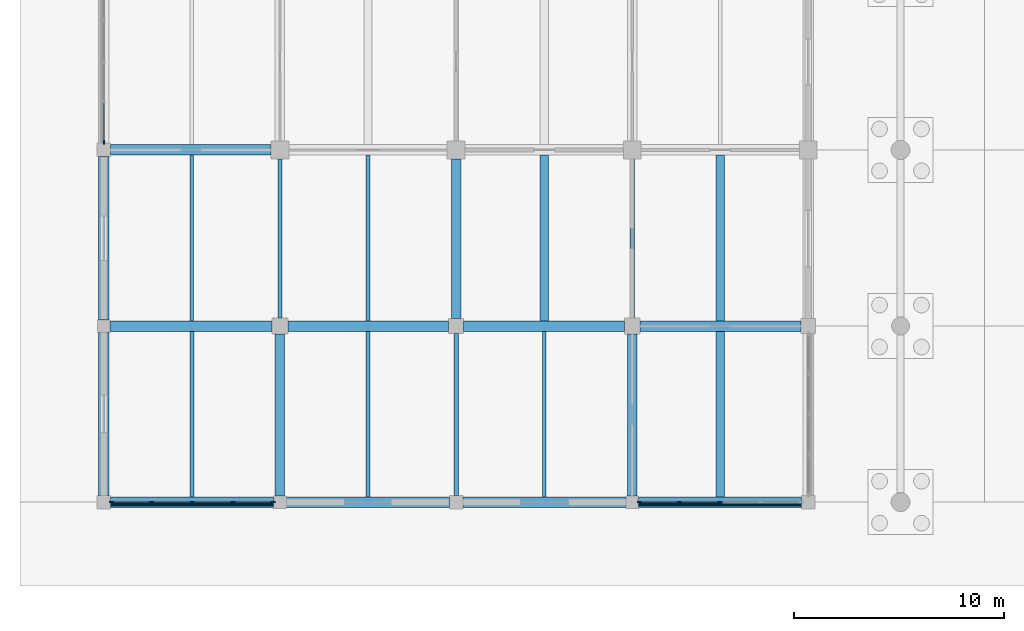
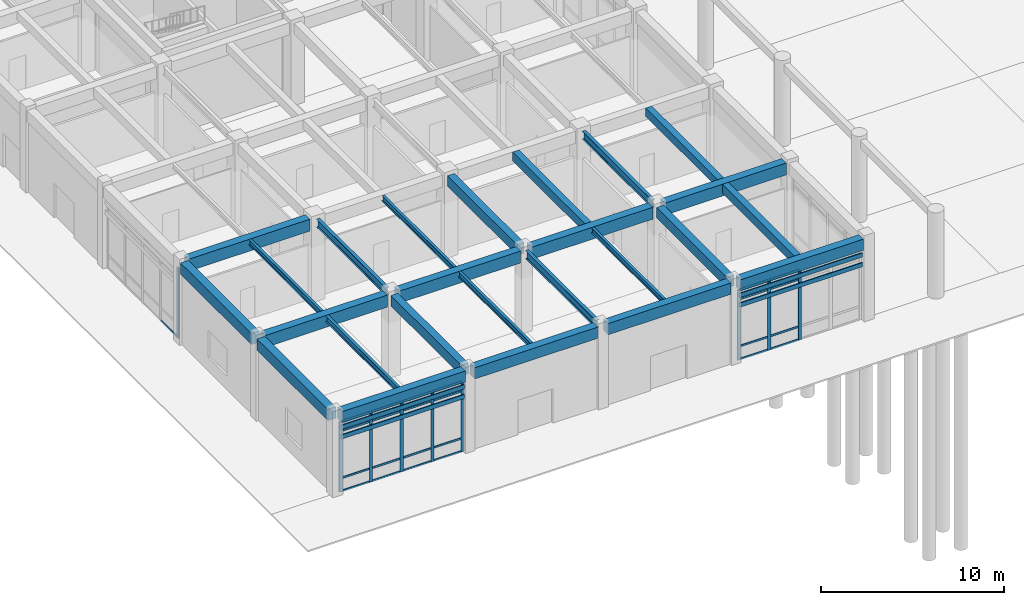
# One storey, part 4 of 91: 38 members, 25 beams, 3 elements without a shape of their own.
"""IFC4 building model written with IfcOpenShell, lengths in metres."""

from ifc_helpers import new_model, si_unit, direction, frame, origin, origin_2d, place, context, subcontext, project, spatial, rectangle, i_section, extrude, material, layer, layer_set, material_profile, profile_set, type_object, element, aggregate, save


model = new_model("IFC4")

# Units and contexts
model_context = context("Model", 3, precision=1e-05, world=origin(), true_north=direction((0.0, 1.0)))
body_context = subcontext(model_context, "Body", "Model", "MODEL_VIEW")
ifc_project = project(units=[si_unit("LENGTHUNIT", "METRE"), si_unit("AREAUNIT", "SQUARE_METRE"), si_unit("VOLUMEUNIT", "CUBIC_METRE"), si_unit("PLANEANGLEUNIT", "RADIAN"), si_unit("MASSUNIT", "GRAM", prefix="KILO")], contexts=[model_context])

# Site, building, storey
site_placement = place(None, origin())
site = spatial("IfcSite", under=ifc_project, at=site_placement, CompositionType="ELEMENT")
building_placement = place(site_placement, origin())
building = spatial("IfcBuilding", under=site, at=building_placement, Name="Porcellanite Civic Hall", CompositionType="ELEMENT")
storey_placement = place(building_placement, origin())
storey = spatial("IfcBuildingStorey", under=building, at=storey_placement, Name="L00", CompositionType="ELEMENT", Elevation=0.0)

# Beams
ifc_material_1 = material(Name="Concrete N50 (50 MPa)", Category="concrete")
ifc_material_profile_1 = material_profile(ifc_material_1, rectangle(XDim=0.39990234375, YDim=0.550048828125, at=origin_2d()), Name="RC-400x550")
ifc_profile_set_1 = profile_set([ifc_material_profile_1], Name="Concrete N50 (50 MPa)")
beam_type_1 = type_object("IfcBeamType", Name="BM-RC550", PredefinedType="JOIST", material=ifc_profile_set_1)
beam_1_placement = place(storey_placement, frame((29.39990234375, 8.6494140625, 5.22509765625), z_axis=(0.0, 1.0, 0.0), x_axis=(-1.0, 0.0, 0.0)))
element("IfcBeam", 1, at=beam_1_placement, inside=storey, type_object=beam_type_1, Name="Secondary joist L00 4-2", PredefinedType="JOIST", context=body_context, shape_type="SweptSolid", body=[
    extrude(rectangle(XDim=0.39990234375, YDim=0.550048828125, at=origin_2d()), origin(), (0.0, 0.0, 1.0), 7.901123046875),
])
ifc_material_2 = material(Name="Concrete N50 (50 MPa)", Category="concrete")
ifc_material_profile_2 = material_profile(ifc_material_2, rectangle(XDim=0.39990234375, YDim=0.60009765625, at=origin_2d()), Name="RC-400x600")
ifc_profile_set_2 = profile_set([ifc_material_profile_2], Name="Concrete N50 (50 MPa)")
beam_type_2 = type_object("IfcBeamType", Name="BM-RC600", PredefinedType="JOIST", material=ifc_profile_set_2)
beam_2_placement = place(storey_placement, frame((21.0, 8.6494140625, 5.199951171875), z_axis=(0.0, 1.0, 0.0), x_axis=(-1.0, 0.0, 0.0)))
element("IfcBeam", 2, at=beam_2_placement, inside=storey, type_object=beam_type_2, Name="Secondary joist L00 3-2", PredefinedType="JOIST", context=body_context, shape_type="SweptSolid", body=[
    extrude(rectangle(XDim=0.39990234375, YDim=0.60009765625, at=origin_2d()), origin(), (0.0, 0.0, 1.0), 7.901123046875),
])
beam_3_placement = place(storey_placement, frame((29.39990234375, 0.24951171875, 5.199951171875), z_axis=(0.0, 1.0, 0.0), x_axis=(-1.0, 0.0, 0.0)))
element("IfcBeam", 3, at=beam_3_placement, inside=storey, type_object=beam_type_2, Name="Secondary joist L00 4-1", PredefinedType="JOIST", context=body_context, shape_type="SweptSolid", body=[
    extrude(rectangle(XDim=0.39990234375, YDim=0.60009765625, at=origin_2d()), origin(), (0.0, 0.0, 1.0), 7.90087890625),
])
ifc_material_3 = material(Name="Concrete N50 (50 MPa)", Category="concrete")
ifc_material_profile_3 = material_profile(ifc_material_3, rectangle(XDim=0.449951171875, YDim=0.699951171875, at=origin_2d()), Name="RC-450x700")
ifc_profile_set_3 = profile_set([ifc_material_profile_3], Name="Concrete N50 (50 MPa)")
beam_type_3 = type_object("IfcBeamType", Name="BM-RC700", PredefinedType="BEAM", material=ifc_profile_set_3)
beam_4_placement = place(storey_placement, frame((8.39990234375, 0.299560546875, 5.14990234375), z_axis=(0.0, 1.0, 0.0), x_axis=(-1.0, 0.0, 0.0)))
element("IfcBeam", 4, at=beam_4_placement, inside=storey, type_object=beam_type_3, Name="Beam Y L00 2-1", PredefinedType="BEAM", context=body_context, shape_type="SweptSolid", body=[
    extrude(rectangle(XDim=0.449951171875, YDim=0.699951171875, at=origin_2d()), origin(), (0.0, 0.0, 1.0), 7.725830078125),
])
beam_5_placement = place(storey_placement, frame((16.800048828125, 8.74951171875, 5.14990234375), z_axis=(0.0, 1.0, 0.0), x_axis=(-1.0, 0.0, 0.0)))
element("IfcBeam", 5, at=beam_5_placement, inside=storey, type_object=beam_type_3, Name="Beam Y L00 3-2", PredefinedType="BEAM", context=body_context, shape_type="SweptSolid", body=[
    extrude(rectangle(XDim=0.449951171875, YDim=0.699951171875, at=origin_2d()), origin(), (0.0, 0.0, 1.0), 7.6259765625),
])
beam_6_placement = place(storey_placement, frame((25.199951171875, 0.299560546875, 5.14990234375), z_axis=(0.0, 1.0, 0.0), x_axis=(-1.0, 0.0, 0.0)))
element("IfcBeam", 6, at=beam_6_placement, inside=storey, type_object=beam_type_3, Name="Beam Y L00 4-1", PredefinedType="BEAM", context=body_context, shape_type="SweptSolid", body=[
    extrude(rectangle(XDim=0.449951171875, YDim=0.699951171875, at=origin_2d()), origin(), (0.0, 0.0, 1.0), 7.725830078125),
])
ifc_material_4 = material(Name="Concrete N50 (50 MPa)", Category="concrete")
ifc_material_profile_4 = material_profile(ifc_material_4, rectangle(XDim=0.5, YDim=0.75, at=origin_2d()), Name="RC-500x750")
ifc_profile_set_4 = profile_set([ifc_material_profile_4], Name="Concrete N50 (50 MPa)")
beam_type_4 = type_object("IfcBeamType", Name="BM-RC750", PredefinedType="SPANDREL", material=ifc_profile_set_4)
for number, where, z_axis, x_axis, name in (
    (7, (0.324462890625, 0.0, 5.125), (1.0, 0.0, 0.0), (0.0, 1.0, 0.0), "Beam X L00 1-1"),
    (8, (8.699462890625, 0.0, 5.125), (1.0, 0.0, 0.0), (0.0, 1.0, 0.0), "Beam X L00 2-1"),
):
    element("IfcBeam", number, at=place(storey_placement, frame(where, z_axis=z_axis, x_axis=x_axis)), inside=storey, type_object=beam_type_4, Name=name, PredefinedType="SPANDREL", context=body_context, shape_type="SweptSolid", body=[
        extrude(rectangle(XDim=0.5, YDim=0.75, at=origin_2d()), origin(), (0.0, 0.0, 1.0), 7.776123046875),
    ])
for number, where, z_axis, x_axis, name in (
    (9, (17.12451171875, 0.0, 5.125), (1.0, 0.0, 0.0), (0.0, 1.0, 0.0), "Beam X L00 3-1"),
    (10, (25.49951171875, 0.0, 5.125), (1.0, 0.0, 0.0), (0.0, 1.0, 0.0), "Beam X L00 4-1"),
):
    element("IfcBeam", number, at=place(storey_placement, frame(where, z_axis=z_axis, x_axis=x_axis)), inside=storey, type_object=beam_type_4, Name=name, PredefinedType="SPANDREL", context=body_context, shape_type="SweptSolid", body=[
        extrude(rectangle(XDim=0.5, YDim=0.75, at=origin_2d()), origin(), (0.0, 0.0, 1.0), 7.77587890625),
    ])
for number, where, z_axis, x_axis, name in (
    (11, (0.0, 0.324462890625, 5.125), (0.0, 1.0, 0.0), (-1.0, 0.0, 0.0), "Beam Y L00 1-1"),
    (12, (0.0, 8.699462890625, 5.125), (0.0, 1.0, 0.0), (-1.0, 0.0, 0.0), "Beam Y L00 1-2"),
):
    element("IfcBeam", number, at=place(storey_placement, frame(where, z_axis=z_axis, x_axis=x_axis)), inside=storey, type_object=beam_type_4, Name=name, PredefinedType="SPANDREL", context=body_context, shape_type="SweptSolid", body=[
        extrude(rectangle(XDim=0.5, YDim=0.75, at=origin_2d()), origin(), (0.0, 0.0, 1.0), 7.776123046875),
    ])
ifc_material_5 = material(Name="Concrete N50 (50 MPa)", Category="concrete")
ifc_material_profile_5 = material_profile(ifc_material_5, rectangle(XDim=0.5, YDim=0.800048828125, at=origin_2d()), Name="RC-500x800")
ifc_profile_set_5 = profile_set([ifc_material_profile_5], Name="Concrete N50 (50 MPa)")
beam_type_5 = type_object("IfcBeamType", Name="BM-RC800", PredefinedType="BEAM", material=ifc_profile_set_5)
beam_7_placement = place(storey_placement, frame((0.299560546875, 8.39990234375, 5.10009765625), z_axis=(1.0, 0.0, 0.0), x_axis=(0.0, 1.0, 0.0)))
element("IfcBeam", 13, at=beam_7_placement, inside=storey, type_object=beam_type_5, Name="Beam X L00 1-2", PredefinedType="BEAM", context=body_context, shape_type="SweptSolid", body=[
    extrude(rectangle(XDim=0.5, YDim=0.800048828125, at=origin_2d()), origin(), (0.0, 0.0, 1.0), 7.725830078125),
])
beam_8_placement = place(storey_placement, frame((0.324462890625, 16.800048828125, 5.10009765625), z_axis=(1.0, 0.0, 0.0), x_axis=(0.0, 1.0, 0.0)))
element("IfcBeam", 14, at=beam_8_placement, inside=storey, type_object=beam_type_5, Name="Beam X L00 1-3", PredefinedType="BEAM", context=body_context, shape_type="SweptSolid", body=[
    extrude(rectangle(XDim=0.5, YDim=0.800048828125, at=origin_2d()), origin(), (0.0, 0.0, 1.0), 7.651123046875),
])
for number, where, z_axis, x_axis, name in (
    (15, (8.7744140625, 8.39990234375, 5.10009765625), (1.0, 0.0, 0.0), (0.0, 1.0, 0.0), "Beam X L00 2-2"),
    (16, (17.1494140625, 8.39990234375, 5.10009765625), (1.0, 0.0, 0.0), (0.0, 1.0, 0.0), "Beam X L00 3-2"),
    (17, (25.574462890625, 8.39990234375, 5.10009765625), (1.0, 0.0, 0.0), (0.0, 1.0, 0.0), "Beam X L00 4-2"),
):
    element("IfcBeam", number, at=place(storey_placement, frame(where, z_axis=z_axis, x_axis=x_axis)), inside=storey, type_object=beam_type_5, Name=name, PredefinedType="BEAM", context=body_context, shape_type="SweptSolid", body=[
        extrude(rectangle(XDim=0.5, YDim=0.800048828125, at=origin_2d()), origin(), (0.0, 0.0, 1.0), 7.676025390625),
    ])

# Curtain wall, members
ifc_material_6 = material(Name="Anodised aluminium and solar laminated glass", Category="aluminium")
ifc_layer = layer(ifc_material_6, 0.179931640625)
ifc_layer_set = layer_set([ifc_layer], Name="Anodised aluminium and solar laminated glass")
curtain_wall_type = type_object("IfcCurtainWallType", Name="CW-SYS05", PredefinedType="NOTDEFINED", material=ifc_layer_set)
curtain_wall_1_placement = place(storey_placement, origin())
curtain_wall_1 = element("IfcCurtainWall", 18, at=curtain_wall_1_placement, inside=storey, type_object=curtain_wall_type, Name="Curtain wall CW-001", PredefinedType="NOTDEFINED")
ifc_material_7 = material(Name="Anodised aluminium 6063-T6", Category="aluminium")
ifc_material_profile_6 = material_profile(ifc_material_7, rectangle(XDim=0.070068359375, YDim=0.199951171875, at=origin_2d()), Name="AL-70x200")
ifc_profile_set_6 = profile_set([ifc_material_profile_6], Name="Anodised aluminium 6063-T6")
member_type_1 = type_object("IfcMemberType", Name="CWM-05", PredefinedType="MULLION", material=ifc_profile_set_6)
member_1_placement = place(storey_placement, frame((8.06396484375, 0.0, 0.0), z_axis=(0.0, 0.0, 1.0), x_axis=(0.0, -1.0, 0.0)))
member_1 = element("IfcMember", 19, at=member_1_placement, type_object=member_type_1, Name="CW-001 mullion 1", PredefinedType="MULLION", context=body_context, shape_type="SweptSolid", body=[
    extrude(rectangle(XDim=0.070068359375, YDim=0.199951171875, at=origin_2d()), origin(), (0.0, 0.0, 1.0), 4.699951171875),
])
member_2_placement = place(storey_placement, frame((6.15576171875, 0.0, 0.0), z_axis=(0.0, 0.0, 1.0), x_axis=(0.0, -1.0, 0.0)))
member_2 = element("IfcMember", 20, at=member_2_placement, type_object=member_type_1, Name="CW-001 mullion 2", PredefinedType="MULLION", context=body_context, shape_type="SweptSolid", body=[
    extrude(rectangle(XDim=0.070068359375, YDim=0.199951171875, at=origin_2d()), origin(), (0.0, 0.0, 1.0), 4.699951171875),
])
member_3_placement = place(storey_placement, frame((4.21240234375, 0.0, 0.0), z_axis=(0.0, 0.0, 1.0), x_axis=(0.0, -1.0, 0.0)))
member_3 = element("IfcMember", 21, at=member_3_placement, type_object=member_type_1, Name="CW-001 mullion 3", PredefinedType="MULLION", context=body_context, shape_type="SweptSolid", body=[
    extrude(rectangle(XDim=0.070068359375, YDim=0.199951171875, at=origin_2d()), origin(), (0.0, 0.0, 1.0), 4.699951171875),
])
member_4_placement = place(storey_placement, frame((2.269287109375, 0.0, 0.0), z_axis=(0.0, 0.0, 1.0), x_axis=(0.0, -1.0, 0.0)))
member_4 = element("IfcMember", 22, at=member_4_placement, type_object=member_type_1, Name="CW-001 mullion 4", PredefinedType="MULLION", context=body_context, shape_type="SweptSolid", body=[
    extrude(rectangle(XDim=0.070068359375, YDim=0.199951171875, at=origin_2d()), origin(), (0.0, 0.0, 1.0), 4.699951171875),
])
member_5_placement = place(storey_placement, frame((0.361083984375, 0.0, 0.0), z_axis=(0.0, 0.0, 1.0), x_axis=(0.0, -1.0, 0.0)))
member_5 = element("IfcMember", 23, at=member_5_placement, type_object=member_type_1, Name="CW-001 mullion 5", PredefinedType="MULLION", context=body_context, shape_type="SweptSolid", body=[
    extrude(rectangle(XDim=0.070068359375, YDim=0.199951171875, at=origin_2d()), origin(), (0.0, 0.0, 1.0), 4.699951171875),
])

# Curtain wall, member
curtain_wall_2_placement = place(storey_placement, origin())
curtain_wall_2 = element("IfcCurtainWall", 24, at=curtain_wall_2_placement, inside=storey, type_object=curtain_wall_type, Name="Curtain wall CW-002", PredefinedType="NOTDEFINED")
member_6_placement = place(storey_placement, frame((0.0, 17.160888671875, 0.0), z_axis=(0.0, 0.0, 1.0), x_axis=(-1.0, 0.0, 0.0)))
member_6 = element("IfcMember", 25, at=member_6_placement, type_object=member_type_1, Name="CW-002 mullion 1", PredefinedType="MULLION", context=body_context, shape_type="SweptSolid", body=[
    extrude(rectangle(XDim=0.070068359375, YDim=0.199951171875, at=origin_2d()), origin(), (0.0, 0.0, 1.0), 4.699951171875),
])

# Curtain wall, members
curtain_wall_3_placement = place(storey_placement, origin())
curtain_wall_3 = element("IfcCurtainWall", 26, at=curtain_wall_3_placement, inside=storey, type_object=curtain_wall_type, Name="Curtain wall CW-010", PredefinedType="NOTDEFINED")
member_7_placement = place(storey_placement, frame((29.387451171875, 0.0, 0.0), z_axis=(0.0, 0.0, 1.0), x_axis=(0.0, -1.0, 0.0)))
member_7 = element("IfcMember", 27, at=member_7_placement, type_object=member_type_1, Name="CW-010 mullion 3", PredefinedType="MULLION", context=body_context, shape_type="SweptSolid", body=[
    extrude(rectangle(XDim=0.070068359375, YDim=0.199951171875, at=origin_2d()), origin(), (0.0, 0.0, 1.0), 4.699951171875),
])
member_8_placement = place(storey_placement, frame((27.4443359375, 0.0, 0.0), z_axis=(0.0, 0.0, 1.0), x_axis=(0.0, -1.0, 0.0)))
member_8 = element("IfcMember", 28, at=member_8_placement, type_object=member_type_1, Name="CW-010 mullion 4", PredefinedType="MULLION", context=body_context, shape_type="SweptSolid", body=[
    extrude(rectangle(XDim=0.070068359375, YDim=0.199951171875, at=origin_2d()), origin(), (0.0, 0.0, 1.0), 4.699951171875),
])
member_9_placement = place(storey_placement, frame((25.535888671875, 0.0, 0.0), z_axis=(0.0, 0.0, 1.0), x_axis=(0.0, -1.0, 0.0)))
member_9 = element("IfcMember", 29, at=member_9_placement, type_object=member_type_1, Name="CW-010 mullion 5", PredefinedType="MULLION", context=body_context, shape_type="SweptSolid", body=[
    extrude(rectangle(XDim=0.070068359375, YDim=0.199951171875, at=origin_2d()), origin(), (0.0, 0.0, 1.0), 4.699951171875),
])

# Member
ifc_material_8 = material(Name="Anodised aluminium 6063-T6", Category="aluminium")
ifc_material_profile_7 = material_profile(ifc_material_8, rectangle(XDim=0.06005859375, YDim=0.1298828125, at=origin_2d()), Name="AL-60x130")
ifc_profile_set_7 = profile_set([ifc_material_profile_7], Name="Anodised aluminium 6063-T6")
member_type_2 = type_object("IfcMemberType", Name="CWT-03", PredefinedType="USERDEFINED", material=ifc_profile_set_7)
member_10_placement = place(storey_placement, frame((8.029052734375, 0.0, 0.030029296875), z_axis=(-1.0, 0.0, 0.0), x_axis=(0.0, -1.0, 0.0)))
member_10 = element("IfcMember", 30, at=member_10_placement, type_object=member_type_2, Name="CW-001 transom 1.1", ObjectType="TRANSOM", PredefinedType="USERDEFINED", context=body_context, shape_type="SweptSolid", body=[
    extrude(rectangle(XDim=0.06005859375, YDim=0.1298828125, at=origin_2d()), origin(), (0.0, 0.0, 1.0), 1.83837890625),
])

member_11_placement = place(storey_placement, frame((8.029052734375, 0.0, 0.89990234375), z_axis=(-1.0, 0.0, 0.0), x_axis=(0.0, -1.0, 0.0)))
member_11 = element("IfcMember", 31, at=member_11_placement, type_object=member_type_2, Name="CW-001 transom 1.2", ObjectType="TRANSOM", PredefinedType="USERDEFINED", context=body_context, shape_type="SweptSolid", body=[
    extrude(rectangle(XDim=0.06005859375, YDim=0.1298828125, at=origin_2d()), origin(), (0.0, 0.0, 1.0), 1.83837890625),
])

member_12_placement = place(storey_placement, frame((8.029052734375, 0.0, 4.050048828125), z_axis=(-1.0, 0.0, 0.0), x_axis=(0.0, -1.0, 0.0)))
member_12 = element("IfcMember", 32, at=member_12_placement, type_object=member_type_2, Name="CW-001 transom 1.3", ObjectType="TRANSOM", PredefinedType="USERDEFINED", context=body_context, shape_type="SweptSolid", body=[
    extrude(rectangle(XDim=0.06005859375, YDim=0.1298828125, at=origin_2d()), origin(), (0.0, 0.0, 1.0), 1.83837890625),
])

member_13_placement = place(storey_placement, frame((8.029052734375, 0.0, 4.669921875), z_axis=(-1.0, 0.0, 0.0), x_axis=(0.0, -1.0, 0.0)))
member_13 = element("IfcMember", 33, at=member_13_placement, type_object=member_type_2, Name="CW-001 transom 1.4", ObjectType="TRANSOM", PredefinedType="USERDEFINED", context=body_context, shape_type="SweptSolid", body=[
    extrude(rectangle(XDim=0.06005859375, YDim=0.1298828125, at=origin_2d()), origin(), (0.0, 0.0, 1.0), 1.83837890625),
])

member_14_placement = place(storey_placement, frame((6.120849609375, 0.0, 0.030029296875), z_axis=(-1.0, 0.0, 0.0), x_axis=(0.0, -1.0, 0.0)))
member_14 = element("IfcMember", 34, at=member_14_placement, type_object=member_type_2, Name="CW-001 transom 2.1", ObjectType="TRANSOM", PredefinedType="USERDEFINED", context=body_context, shape_type="SweptSolid", body=[
    extrude(rectangle(XDim=0.06005859375, YDim=0.1298828125, at=origin_2d()), origin(), (0.0, 0.0, 1.0), 1.873291015625),
])

member_15_placement = place(storey_placement, frame((6.120849609375, 0.0, 0.89990234375), z_axis=(-1.0, 0.0, 0.0), x_axis=(0.0, -1.0, 0.0)))
member_15 = element("IfcMember", 35, at=member_15_placement, type_object=member_type_2, Name="CW-001 transom 2.2", ObjectType="TRANSOM", PredefinedType="USERDEFINED", context=body_context, shape_type="SweptSolid", body=[
    extrude(rectangle(XDim=0.06005859375, YDim=0.1298828125, at=origin_2d()), origin(), (0.0, 0.0, 1.0), 1.873291015625),
])

member_16_placement = place(storey_placement, frame((6.120849609375, 0.0, 4.050048828125), z_axis=(-1.0, 0.0, 0.0), x_axis=(0.0, -1.0, 0.0)))
member_16 = element("IfcMember", 36, at=member_16_placement, type_object=member_type_2, Name="CW-001 transom 2.3", ObjectType="TRANSOM", PredefinedType="USERDEFINED", context=body_context, shape_type="SweptSolid", body=[
    extrude(rectangle(XDim=0.06005859375, YDim=0.1298828125, at=origin_2d()), origin(), (0.0, 0.0, 1.0), 1.873291015625),
])

member_17_placement = place(storey_placement, frame((6.120849609375, 0.0, 4.669921875), z_axis=(-1.0, 0.0, 0.0), x_axis=(0.0, -1.0, 0.0)))
member_17 = element("IfcMember", 37, at=member_17_placement, type_object=member_type_2, Name="CW-001 transom 2.4", ObjectType="TRANSOM", PredefinedType="USERDEFINED", context=body_context, shape_type="SweptSolid", body=[
    extrude(rectangle(XDim=0.06005859375, YDim=0.1298828125, at=origin_2d()), origin(), (0.0, 0.0, 1.0), 1.873291015625),
])

member_18_placement = place(storey_placement, frame((4.177490234375, 0.0, 0.030029296875), z_axis=(-1.0, 0.0, 0.0), x_axis=(0.0, -1.0, 0.0)))
member_18 = element("IfcMember", 38, at=member_18_placement, type_object=member_type_2, Name="CW-001 transom 3.1", ObjectType="TRANSOM", PredefinedType="USERDEFINED", context=body_context, shape_type="SweptSolid", body=[
    extrude(rectangle(XDim=0.06005859375, YDim=0.1298828125, at=origin_2d()), origin(), (0.0, 0.0, 1.0), 1.873291015625),
])

member_19_placement = place(storey_placement, frame((4.177490234375, 0.0, 0.89990234375), z_axis=(-1.0, 0.0, 0.0), x_axis=(0.0, -1.0, 0.0)))
member_19 = element("IfcMember", 39, at=member_19_placement, type_object=member_type_2, Name="CW-001 transom 3.2", ObjectType="TRANSOM", PredefinedType="USERDEFINED", context=body_context, shape_type="SweptSolid", body=[
    extrude(rectangle(XDim=0.06005859375, YDim=0.1298828125, at=origin_2d()), origin(), (0.0, 0.0, 1.0), 1.873291015625),
])

member_20_placement = place(storey_placement, frame((4.177490234375, 0.0, 4.050048828125), z_axis=(-1.0, 0.0, 0.0), x_axis=(0.0, -1.0, 0.0)))
member_20 = element("IfcMember", 40, at=member_20_placement, type_object=member_type_2, Name="CW-001 transom 3.3", ObjectType="TRANSOM", PredefinedType="USERDEFINED", context=body_context, shape_type="SweptSolid", body=[
    extrude(rectangle(XDim=0.06005859375, YDim=0.1298828125, at=origin_2d()), origin(), (0.0, 0.0, 1.0), 1.873291015625),
])

member_21_placement = place(storey_placement, frame((4.177490234375, 0.0, 4.669921875), z_axis=(-1.0, 0.0, 0.0), x_axis=(0.0, -1.0, 0.0)))
member_21 = element("IfcMember", 41, at=member_21_placement, type_object=member_type_2, Name="CW-001 transom 3.4", ObjectType="TRANSOM", PredefinedType="USERDEFINED", context=body_context, shape_type="SweptSolid", body=[
    extrude(rectangle(XDim=0.06005859375, YDim=0.1298828125, at=origin_2d()), origin(), (0.0, 0.0, 1.0), 1.873291015625),
])

member_22_placement = place(storey_placement, frame((2.234130859375, 0.0, 0.030029296875), z_axis=(-1.0, 0.0, 0.0), x_axis=(0.0, -1.0, 0.0)))
member_22 = element("IfcMember", 42, at=member_22_placement, type_object=member_type_2, Name="CW-001 transom 4.1", ObjectType="TRANSOM", PredefinedType="USERDEFINED", context=body_context, shape_type="SweptSolid", body=[
    extrude(rectangle(XDim=0.06005859375, YDim=0.1298828125, at=origin_2d()), origin(), (0.0, 0.0, 1.0), 1.838134765625),
])

member_23_placement = place(storey_placement, frame((2.234130859375, 0.0, 0.89990234375), z_axis=(-1.0, 0.0, 0.0), x_axis=(0.0, -1.0, 0.0)))
member_23 = element("IfcMember", 43, at=member_23_placement, type_object=member_type_2, Name="CW-001 transom 4.2", ObjectType="TRANSOM", PredefinedType="USERDEFINED", context=body_context, shape_type="SweptSolid", body=[
    extrude(rectangle(XDim=0.06005859375, YDim=0.1298828125, at=origin_2d()), origin(), (0.0, 0.0, 1.0), 1.838134765625),
])

member_24_placement = place(storey_placement, frame((2.234130859375, 0.0, 4.050048828125), z_axis=(-1.0, 0.0, 0.0), x_axis=(0.0, -1.0, 0.0)))
member_24 = element("IfcMember", 44, at=member_24_placement, type_object=member_type_2, Name="CW-001 transom 4.3", ObjectType="TRANSOM", PredefinedType="USERDEFINED", context=body_context, shape_type="SweptSolid", body=[
    extrude(rectangle(XDim=0.06005859375, YDim=0.1298828125, at=origin_2d()), origin(), (0.0, 0.0, 1.0), 1.838134765625),
])

member_25_placement = place(storey_placement, frame((2.234130859375, 0.0, 4.669921875), z_axis=(-1.0, 0.0, 0.0), x_axis=(0.0, -1.0, 0.0)))
member_25 = element("IfcMember", 45, at=member_25_placement, type_object=member_type_2, Name="CW-001 transom 4.4", ObjectType="TRANSOM", PredefinedType="USERDEFINED", context=body_context, shape_type="SweptSolid", body=[
    extrude(rectangle(XDim=0.06005859375, YDim=0.1298828125, at=origin_2d()), origin(), (0.0, 0.0, 1.0), 1.838134765625),
])

aggregate(curtain_wall_1, [member_1, member_2, member_3, member_4, member_5, member_10, member_11, member_12, member_13, member_14, member_15, member_16, member_17, member_18, member_19, member_20, member_21, member_22, member_23, member_24, member_25])

member_26_placement = place(storey_placement, frame((0.0, 17.196044921875, 0.030029296875), z_axis=(0.0, 1.0, 0.0), x_axis=(-1.0, 0.0, 0.0)))
member_26 = element("IfcMember", 46, at=member_26_placement, type_object=member_type_2, Name="CW-002 transom 1.1", ObjectType="TRANSOM", PredefinedType="USERDEFINED", context=body_context, shape_type="SweptSolid", body=[
    extrude(rectangle(XDim=0.06005859375, YDim=0.1298828125, at=origin_2d()), origin(), (0.0, 0.0, 1.0), 1.838134765625),
])

aggregate(curtain_wall_2, [member_6, member_26])

member_27_placement = place(storey_placement, frame((29.3525390625, 0.0, 0.030029296875), z_axis=(-1.0, 0.0, 0.0), x_axis=(0.0, -1.0, 0.0)))
member_27 = element("IfcMember", 47, at=member_27_placement, type_object=member_type_2, Name="CW-010 transom 3.1", ObjectType="TRANSOM", PredefinedType="USERDEFINED", context=body_context, shape_type="SweptSolid", body=[
    extrude(rectangle(XDim=0.06005859375, YDim=0.1298828125, at=origin_2d()), origin(), (0.0, 0.0, 1.0), 1.873291015625),
])

member_28_placement = place(storey_placement, frame((29.3525390625, 0.0, 0.89990234375), z_axis=(-1.0, 0.0, 0.0), x_axis=(0.0, -1.0, 0.0)))
member_28 = element("IfcMember", 48, at=member_28_placement, type_object=member_type_2, Name="CW-010 transom 3.2", ObjectType="TRANSOM", PredefinedType="USERDEFINED", context=body_context, shape_type="SweptSolid", body=[
    extrude(rectangle(XDim=0.06005859375, YDim=0.1298828125, at=origin_2d()), origin(), (0.0, 0.0, 1.0), 1.873291015625),
])

member_29_placement = place(storey_placement, frame((29.3525390625, 0.0, 4.050048828125), z_axis=(-1.0, 0.0, 0.0), x_axis=(0.0, -1.0, 0.0)))
member_29 = element("IfcMember", 49, at=member_29_placement, type_object=member_type_2, Name="CW-010 transom 3.3", ObjectType="TRANSOM", PredefinedType="USERDEFINED", context=body_context, shape_type="SweptSolid", body=[
    extrude(rectangle(XDim=0.06005859375, YDim=0.1298828125, at=origin_2d()), origin(), (0.0, 0.0, 1.0), 1.873291015625),
])

member_30_placement = place(storey_placement, frame((29.3525390625, 0.0, 4.669921875), z_axis=(-1.0, 0.0, 0.0), x_axis=(0.0, -1.0, 0.0)))
member_30 = element("IfcMember", 50, at=member_30_placement, type_object=member_type_2, Name="CW-010 transom 3.4", ObjectType="TRANSOM", PredefinedType="USERDEFINED", context=body_context, shape_type="SweptSolid", body=[
    extrude(rectangle(XDim=0.06005859375, YDim=0.1298828125, at=origin_2d()), origin(), (0.0, 0.0, 1.0), 1.873291015625),
])

member_31_placement = place(storey_placement, frame((27.4091796875, 0.0, 0.030029296875), z_axis=(-1.0, 0.0, 0.0), x_axis=(0.0, -1.0, 0.0)))
member_31 = element("IfcMember", 51, at=member_31_placement, type_object=member_type_2, Name="CW-010 transom 4.1", ObjectType="TRANSOM", PredefinedType="USERDEFINED", context=body_context, shape_type="SweptSolid", body=[
    extrude(rectangle(XDim=0.06005859375, YDim=0.1298828125, at=origin_2d()), origin(), (0.0, 0.0, 1.0), 1.838134765625),
])

member_32_placement = place(storey_placement, frame((27.4091796875, 0.0, 0.89990234375), z_axis=(-1.0, 0.0, 0.0), x_axis=(0.0, -1.0, 0.0)))
member_32 = element("IfcMember", 52, at=member_32_placement, type_object=member_type_2, Name="CW-010 transom 4.2", ObjectType="TRANSOM", PredefinedType="USERDEFINED", context=body_context, shape_type="SweptSolid", body=[
    extrude(rectangle(XDim=0.06005859375, YDim=0.1298828125, at=origin_2d()), origin(), (0.0, 0.0, 1.0), 1.838134765625),
])

member_33_placement = place(storey_placement, frame((27.4091796875, 0.0, 4.050048828125), z_axis=(-1.0, 0.0, 0.0), x_axis=(0.0, -1.0, 0.0)))
member_33 = element("IfcMember", 53, at=member_33_placement, type_object=member_type_2, Name="CW-010 transom 4.3", ObjectType="TRANSOM", PredefinedType="USERDEFINED", context=body_context, shape_type="SweptSolid", body=[
    extrude(rectangle(XDim=0.06005859375, YDim=0.1298828125, at=origin_2d()), origin(), (0.0, 0.0, 1.0), 1.838134765625),
])

member_34_placement = place(storey_placement, frame((27.4091796875, 0.0, 4.669921875), z_axis=(-1.0, 0.0, 0.0), x_axis=(0.0, -1.0, 0.0)))
member_34 = element("IfcMember", 54, at=member_34_placement, type_object=member_type_2, Name="CW-010 transom 4.4", ObjectType="TRANSOM", PredefinedType="USERDEFINED", context=body_context, shape_type="SweptSolid", body=[
    extrude(rectangle(XDim=0.06005859375, YDim=0.1298828125, at=origin_2d()), origin(), (0.0, 0.0, 1.0), 1.838134765625),
])

aggregate(curtain_wall_3, [member_7, member_8, member_9, member_27, member_28, member_29, member_30, member_31, member_32, member_33, member_34])

# Beams
ifc_material_9 = material(Name="Steel Grade 350", Category="steel")
ifc_material_profile_8 = material_profile(ifc_material_9, i_section(OverallWidth=0.1708984375, OverallDepth=0.35595703125, WebThickness=0.00732421875, FlangeThickness=0.011474609375, FilletRadius=0.011474609375, at=origin_2d()), Name="360UB50.7")
ifc_profile_set_8 = profile_set([ifc_material_profile_8], Name="Steel Grade 350")
beam_type_6 = type_object("IfcBeamType", Name="JST-360UB51", PredefinedType="JOIST", material=ifc_profile_set_8)
beam_9_placement = place(storey_placement, frame((12.60009765625, 8.6494140625, 5.322021484375), z_axis=(0.0, 1.0, 0.0), x_axis=(-1.0, 0.0, 0.0)))
element("IfcBeam", 55, at=beam_9_placement, inside=storey, type_object=beam_type_6, Name="Secondary joist L00 2-2", PredefinedType="JOIST", context=body_context, shape_type="SweptSolid", body=[
    extrude(i_section(OverallWidth=0.1708984375, OverallDepth=0.35595703125, WebThickness=0.00732421875, FlangeThickness=0.011474609375, FilletRadius=0.011474609375, at=origin_2d()), origin(), (0.0, 0.0, 1.0), 7.901123046875),
])
beam_10_placement = place(storey_placement, frame((21.0, 0.24951171875, 5.322021484375), z_axis=(0.0, 1.0, 0.0), x_axis=(-1.0, 0.0, 0.0)))
element("IfcBeam", 56, at=beam_10_placement, inside=storey, type_object=beam_type_6, Name="Secondary joist L00 3-1", PredefinedType="JOIST", context=body_context, shape_type="SweptSolid", body=[
    extrude(i_section(OverallWidth=0.1708984375, OverallDepth=0.35595703125, WebThickness=0.00732421875, FlangeThickness=0.011474609375, FilletRadius=0.011474609375, at=origin_2d()), origin(), (0.0, 0.0, 1.0), 7.90087890625),
])
ifc_material_10 = material(Name="Steel Grade 350", Category="steel")
ifc_material_profile_9 = material_profile(ifc_material_10, i_section(OverallWidth=0.172119140625, OverallDepth=0.35888671875, WebThickness=0.008056640625, FlangeThickness=0.012939453125, FilletRadius=0.011474609375, at=origin_2d()), Name="360UB56.7")
ifc_profile_set_9 = profile_set([ifc_material_profile_9], Name="Steel Grade 350")
beam_type_7 = type_object("IfcBeamType", Name="JST-360UB57", PredefinedType="JOIST", material=ifc_profile_set_9)
beam_11_placement = place(storey_placement, frame((4.199951171875, 8.6494140625, 5.320556640625), z_axis=(0.0, 1.0, 0.0), x_axis=(-1.0, 0.0, 0.0)))
element("IfcBeam", 57, at=beam_11_placement, inside=storey, type_object=beam_type_7, Name="Secondary joist L00 1-2", PredefinedType="JOIST", context=body_context, shape_type="SweptSolid", body=[
    extrude(i_section(OverallWidth=0.172119140625, OverallDepth=0.35888671875, WebThickness=0.008056640625, FlangeThickness=0.012939453125, FilletRadius=0.011474609375, at=origin_2d()), origin(), (0.0, 0.0, 1.0), 7.901123046875),
])
beam_12_placement = place(storey_placement, frame((12.60009765625, 0.24951171875, 5.320556640625), z_axis=(0.0, 1.0, 0.0), x_axis=(-1.0, 0.0, 0.0)))
element("IfcBeam", 58, at=beam_12_placement, inside=storey, type_object=beam_type_7, Name="Secondary joist L00 2-1", PredefinedType="JOIST", context=body_context, shape_type="SweptSolid", body=[
    extrude(i_section(OverallWidth=0.172119140625, OverallDepth=0.35888671875, WebThickness=0.008056640625, FlangeThickness=0.012939453125, FilletRadius=0.011474609375, at=origin_2d()), origin(), (0.0, 0.0, 1.0), 7.90087890625),
])
ifc_material_11 = material(Name="Steel Grade 350", Category="steel")
ifc_material_profile_10 = material_profile(ifc_material_11, i_section(OverallWidth=0.177978515625, OverallDepth=0.403076171875, WebThickness=0.007568359375, FlangeThickness=0.010986328125, FilletRadius=0.011474609375, at=origin_2d()), Name="410UB53.7")
ifc_profile_set_10 = profile_set([ifc_material_profile_10], Name="Steel Grade 350")
beam_type_8 = type_object("IfcBeamType", Name="JST-410UB54", PredefinedType="JOIST", material=ifc_profile_set_10)
beam_13_placement = place(storey_placement, frame((4.199951171875, 0.24951171875, 5.298583984375), z_axis=(0.0, 1.0, 0.0), x_axis=(-1.0, 0.0, 0.0)))
element("IfcBeam", 59, at=beam_13_placement, inside=storey, type_object=beam_type_8, Name="Secondary joist L00 1-1", PredefinedType="JOIST", context=body_context, shape_type="SweptSolid", body=[
    extrude(i_section(OverallWidth=0.177978515625, OverallDepth=0.403076171875, WebThickness=0.007568359375, FlangeThickness=0.010986328125, FilletRadius=0.011474609375, at=origin_2d()), origin(), (0.0, 0.0, 1.0), 7.90087890625),
])

# Members
ifc_material_12 = material(Name="Fluoropolymer bauxite-red aluminium 6063-T6", Category="aluminium")
ifc_material_profile_11 = material_profile(ifc_material_12, rectangle(XDim=0.070068359375, YDim=0.280029296875, at=origin_2d()), Name="AL-70x280")
ifc_profile_set_11 = profile_set([ifc_material_profile_11], Name="Fluoropolymer bauxite-red aluminium 6063-T6")
member_type_3 = type_object("IfcMemberType", Name="LV-BLD05", PredefinedType="USERDEFINED", material=ifc_profile_set_11)
for number, where, z_axis, x_axis, name in (
    (60, (8.1005859375, -0.136962890625, 4.39990234375), (-1.0, 0.0, 0.0), (0.0, -1.0, 0.0), "Cyclone sunshade louvre L00 S 0-0 1"),
    (61, (8.1005859375, -0.136962890625, 3.75), (-1.0, 0.0, 0.0), (0.0, -1.0, 0.0), "Cyclone sunshade louvre L00 S 0-0 2"),
):
    element("IfcMember", number, at=place(storey_placement, frame(where, z_axis=z_axis, x_axis=x_axis)), inside=storey, type_object=member_type_3, Name=name, ObjectType="LOUVRE BLADE", PredefinedType="USERDEFINED", context=body_context, shape_type="SweptSolid", body=[
        extrude(rectangle(XDim=0.070068359375, YDim=0.280029296875, at=origin_2d()), origin(), (0.0, 0.0, 1.0), 7.776123046875),
    ])
for number, where, z_axis, x_axis, name in (
    (62, (33.275390625, -0.136962890625, 4.39990234375), (-1.0, 0.0, 0.0), (0.0, -1.0, 0.0), "Cyclone sunshade louvre L00 S 3-0 1"),
    (63, (33.275390625, -0.136962890625, 3.75), (-1.0, 0.0, 0.0), (0.0, -1.0, 0.0), "Cyclone sunshade louvre L00 S 3-0 2"),
):
    element("IfcMember", number, at=place(storey_placement, frame(where, z_axis=z_axis, x_axis=x_axis)), inside=storey, type_object=member_type_3, Name=name, ObjectType="LOUVRE BLADE", PredefinedType="USERDEFINED", context=body_context, shape_type="SweptSolid", body=[
        extrude(rectangle(XDim=0.070068359375, YDim=0.280029296875, at=origin_2d()), origin(), (0.0, 0.0, 1.0), 7.77587890625),
    ])

# Beams
ifc_material_13 = material(Name="Steel Grade 350", Category="steel")
ifc_material_profile_12 = material_profile(ifc_material_13, i_section(OverallWidth=0.208984375, OverallDepth=0.528076171875, WebThickness=0.009521484375, FlangeThickness=0.01318359375, FilletRadius=0.013916015625, at=origin_2d()), Name="530UB82.0")
ifc_profile_set_12 = profile_set([ifc_material_profile_12], Name="Steel Grade 350")
beam_type_9 = type_object("IfcBeamType", Name="RAF-530UB82", PredefinedType="BEAM", material=ifc_profile_set_12)
beam_14_placement = place(storey_placement, frame((8.39990234375, 8.7744140625, 5.236083984375), z_axis=(0.0, 1.0, 0.0), x_axis=(-1.0, 0.0, 0.0)))
element("IfcBeam", 64, at=beam_14_placement, inside=storey, type_object=beam_type_9, Name="Beam Y L00 2-2", PredefinedType="BEAM", context=body_context, shape_type="SweptSolid", body=[
    extrude(i_section(OverallWidth=0.208984375, OverallDepth=0.528076171875, WebThickness=0.009521484375, FlangeThickness=0.01318359375, FilletRadius=0.013916015625, at=origin_2d()), origin(), (0.0, 0.0, 1.0), 7.60107421875),
])
beam_15_placement = place(storey_placement, frame((16.800048828125, 0.324462890625, 5.236083984375), z_axis=(0.0, 1.0, 0.0), x_axis=(-1.0, 0.0, 0.0)))
element("IfcBeam", 65, at=beam_15_placement, inside=storey, type_object=beam_type_9, Name="Beam Y L00 3-1", PredefinedType="BEAM", context=body_context, shape_type="SweptSolid", body=[
    extrude(i_section(OverallWidth=0.208984375, OverallDepth=0.528076171875, WebThickness=0.009521484375, FlangeThickness=0.01318359375, FilletRadius=0.013916015625, at=origin_2d()), origin(), (0.0, 0.0, 1.0), 7.72607421875),
])
beam_16_placement = place(storey_placement, frame((25.199951171875, 8.7744140625, 5.236083984375), z_axis=(0.0, 1.0, 0.0), x_axis=(-1.0, 0.0, 0.0)))
element("IfcBeam", 66, at=beam_16_placement, inside=storey, type_object=beam_type_9, Name="Beam Y L00 4-2", PredefinedType="BEAM", context=body_context, shape_type="SweptSolid", body=[
    extrude(i_section(OverallWidth=0.208984375, OverallDepth=0.528076171875, WebThickness=0.009521484375, FlangeThickness=0.01318359375, FilletRadius=0.013916015625, at=origin_2d()), origin(), (0.0, 0.0, 1.0), 7.60107421875),
])

save(model, "model.ifc")
